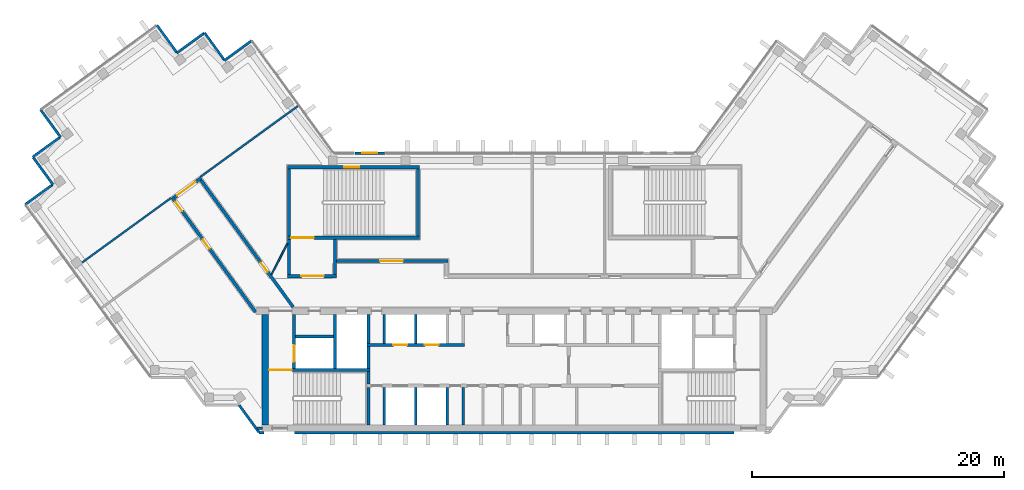
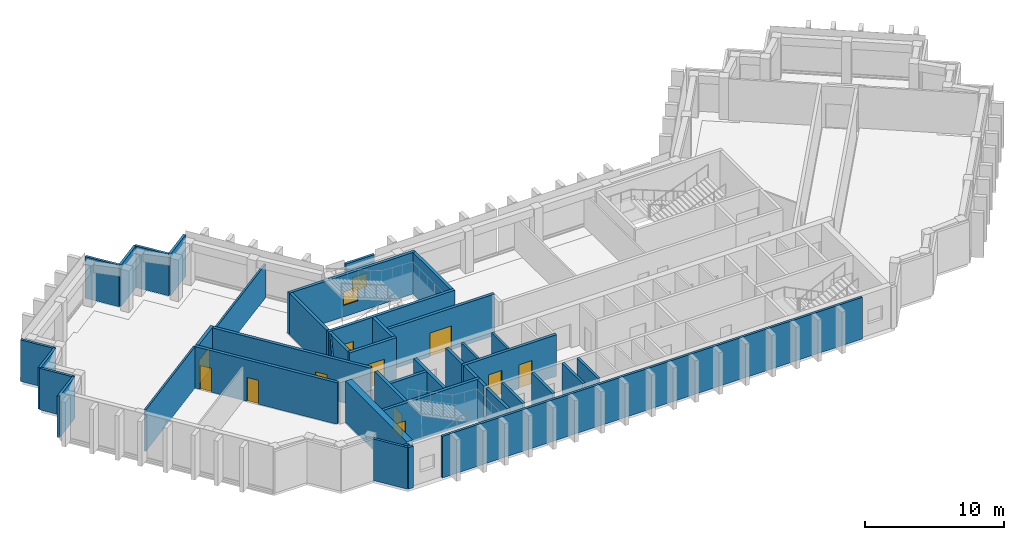
# One storey, part 4 of 9: 43 walls, 11 doors, 2 windows, 13 openings.
"""IFC4 building model written with IfcOpenShell, lengths in metres."""

from ifc_helpers import new_model, si_unit, direction, frame, frame_2d, origin, place, context, subcontext, project, spatial, rectangle, extrude, material, layer, layer_set, type_object, element, fill, save


model = new_model("IFC4")

# Units and contexts
model_context = context("Model", 3, precision=1e-05, world=origin(), true_north=direction((0.0, 1.0)))
body_context = subcontext(model_context, "Body", "Model", "MODEL_VIEW")
ifc_project = project(units=[si_unit("LENGTHUNIT", "METRE"), si_unit("AREAUNIT", "SQUARE_METRE"), si_unit("VOLUMEUNIT", "CUBIC_METRE"), si_unit("PLANEANGLEUNIT", "RADIAN"), si_unit("MASSUNIT", "GRAM", prefix="KILO")], contexts=[model_context])

# Site, building, storey
site_placement = place(None, origin())
site = spatial("IfcSite", under=ifc_project, at=site_placement, CompositionType="ELEMENT")
building_placement = place(site_placement, origin())
building = spatial("IfcBuilding", under=site, at=building_placement, Name="Quipu Civic Tower", CompositionType="ELEMENT")
storey_placement = place(building_placement, frame((0.0, 0.0, 293.0)))
storey = spatial("IfcBuildingStorey", under=building, at=storey_placement, Name="L68", CompositionType="ELEMENT", Elevation=293.0)

# Walls
ifc_material_1 = material(Name="Double gypsum plasterboard with mineral wool")
ifc_layer_1 = layer(ifc_material_1, 0.14990234375)
ifc_layer_set_1 = layer_set([ifc_layer_1], Name="Double gypsum plasterboard with mineral wool")
wall_type_1 = type_object("IfcWallType", Name="Acoustic partition 150 plasterboard", PredefinedType="PARTITIONING", material=ifc_layer_set_1)
wall_1_placement = place(storey_placement, frame((-17.17236328125, 14.822509765625, 0.0), z_axis=(0.0, 0.0, 1.0), x_axis=(-0.809013490065, -0.587790075531, 0.0)))
element("IfcWall", 1, at=wall_1_placement, inside=storey, type_object=wall_type_1, Name="Partition P02", PredefinedType="PARTITIONING", context=body_context, shape_type="SweptSolid", body=[
    extrude(rectangle(XDim=9.54931640625, YDim=0.14990234375, at=frame_2d((4.774658203125, 0.0))), origin(), (0.0, 0.0, 1.0), 2.949951171875),
])
wall_2_placement = place(storey_placement, frame((-34.291015625, 2.41015625, 0.0), z_axis=(0.0, 0.0, 1.0), x_axis=(0.809027940177, 0.587770186393, 0.0)))
element("IfcWall", 2, at=wall_2_placement, inside=storey, type_object=wall_type_1, Name="Partition P06", PredefinedType="PARTITIONING", context=body_context, shape_type="SweptSolid", body=[
    extrude(rectangle(XDim=8.71484375, YDim=0.14990234375, at=frame_2d((4.357421875, 0.0))), origin(), (0.0, 0.0, 1.0), 3.64990234375),
])
ifc_material_2 = material(Name="Concrete C70/85", Category="concrete")
ifc_layer_2 = layer(ifc_material_2, 0.25)
ifc_layer_set_2 = layer_set([ifc_layer_2], Name="Concrete C70/85")
wall_type_2 = type_object("IfcWallType", Name="Core wall 250", PredefinedType="SHEAR", material=ifc_layer_set_2)
wall_3_placement = place(storey_placement, frame((-11.574951171875, -10.5, 0.0), z_axis=(0.0, 0.0, 1.0), x_axis=(0.0, 1.0, 0.0)))
element("IfcWall", 3, at=wall_3_placement, inside=storey, type_object=wall_type_2, Name="Core wall", PredefinedType="SHEAR", context=body_context, shape_type="SweptSolid", body=[
    extrude(rectangle(XDim=3.0, YDim=0.25, at=frame_2d((1.5, 0.0))), origin(), (0.0, 0.0, 1.0), 3.64990234375),
])
wall_4_placement = place(storey_placement, frame((-11.574951171875, -7.25, 0.0), z_axis=(0.0, 0.0, 1.0), x_axis=(0.0, 1.0, 0.0)))
element("IfcWall", 4, at=wall_4_placement, inside=storey, type_object=wall_type_2, Name="Core wall", PredefinedType="SHEAR", context=body_context, shape_type="SweptSolid", body=[
    extrude(rectangle(XDim=1.0, YDim=0.25, at=frame_2d((0.5, 0.0))), origin(), (0.0, 0.0, 1.0), 3.64990234375),
])

# Wall, opening, door
wall_5_placement = place(storey_placement, frame((-11.449951171875, -6.125, 0.0), z_axis=(0.0, 0.0, 1.0), x_axis=(-1.0, 0.0, 0.0)))
wall_5 = element("IfcWall", 5, at=wall_5_placement, inside=storey, type_object=wall_type_2, Name="Core wall", PredefinedType="SHEAR", context=body_context, shape_type="SweptSolid", body=[
    extrude(rectangle(XDim=8.050048828125, YDim=0.25, at=frame_2d((4.02490234375, 0.0))), origin(), (0.0, 0.0, 1.0), 3.64990234375),
])
opening_1_placement = place(wall_5_placement, frame((6.199951171875, 0.0, 0.0)))
opening_1 = element("IfcOpeningElement", 6, at=opening_1_placement, cuts=wall_5, Name="Opening CD-09", PredefinedType="OPENING", context=body_context, shape_type="SweptSolid", body=[
    extrude(rectangle(XDim=1.800048828125, YDim=2.10009765625, at=frame_2d((0.89990234375, 1.050048828125))), frame((0.0, 0.135009765625, 0.0), z_axis=(0.0, -1.0, 0.0), x_axis=(1.0, 0.0, 0.0)), (0.0, 0.0, 1.0), 0.27001953125),
])
ifc_material_3 = material(Name="Fire rated steel door", Category="steel")
door_type_1 = type_object("IfcDoorType", Name="Fire door FD90 double 1800 x 2100", OperationType="NOTDEFINED", PredefinedType="DOOR", material=ifc_material_3)
door_1_placement = place(opening_1_placement, origin())
door_1 = element("IfcDoor", 7, at=door_1_placement, inside=storey, type_object=door_type_1, Name="Door", OperationType="DOUBLE_DOOR_SINGLE_SWING", OverallHeight=2.10009765625, OverallWidth=1.800048828125, PredefinedType="DOOR", context=body_context, shape_type="SweptSolid", body=[
    extrude(rectangle(XDim=1.800048828125, YDim=2.10009765625, at=frame_2d((0.89990234375, 1.050048828125))), frame((0.0, 0.02490234375, 0.0), z_axis=(0.0, -1.0, 0.0), x_axis=(1.0, 0.0, 0.0)), (0.0, 0.0, 1.0), 0.050048828125),
])
fill(opening_1, door_1)

wall_6_placement = place(storey_placement, frame((-17.47509765625, -6.0, 0.0), z_axis=(0.0, 0.0, 1.0), x_axis=(0.0, 1.0, 0.0)))
wall_6 = element("IfcWall", 8, at=wall_6_placement, inside=storey, type_object=wall_type_2, Name="Core wall", PredefinedType="SHEAR", context=body_context, shape_type="SweptSolid", body=[
    extrude(rectangle(XDim=4.300048828125, YDim=0.25, at=frame_2d((2.14990234375, 0.0))), origin(), (0.0, 0.0, 1.0), 3.64990234375),
])
opening_2_placement = place(wall_6_placement, frame((0.550048828125, 0.0, 0.0)))
opening_2 = element("IfcOpeningElement", 9, at=opening_2_placement, cuts=wall_6, Name="Opening LD-FF1", PredefinedType="OPENING", context=body_context, shape_type="SweptSolid", body=[
    extrude(rectangle(XDim=1.300048828125, YDim=2.10009765625, at=frame_2d((0.64990234375, 1.050048828125))), frame((0.0, 0.135009765625, 0.0), z_axis=(0.0, -1.0, 0.0), x_axis=(1.0, 0.0, 0.0)), (0.0, 0.0, 1.0), 0.27001953125),
])
ifc_material_4 = material(Name="Stainless steel", Category="steel")
door_type_2 = type_object("IfcDoorType", Name="Lift landing door 1300 x 2100", OperationType="DOUBLE_DOOR_SLIDING", PredefinedType="DOOR", material=ifc_material_4)
door_2_placement = place(opening_2_placement, origin())
door_2 = element("IfcDoor", 10, at=door_2_placement, inside=storey, type_object=door_type_2, Name="Landing door FF1", OperationType="DOUBLE_DOOR_SLIDING", OverallHeight=2.10009765625, OverallWidth=1.300048828125, PredefinedType="DOOR", context=body_context, shape_type="SweptSolid", body=[
    extrude(rectangle(XDim=1.300048828125, YDim=2.10009765625, at=frame_2d((0.64990234375, 1.050048828125))), frame((0.0, 0.02490234375, 0.0), z_axis=(0.0, -1.0, 0.0), x_axis=(1.0, 0.0, 0.0)), (0.0, 0.0, 1.0), 0.050048828125),
])
fill(opening_2, door_2)

# Walls
wall_7_placement = place(storey_placement, frame((-14.22509765625, -6.0, 0.0), z_axis=(0.0, 0.0, 1.0), x_axis=(0.0, 1.0, 0.0)))
element("IfcWall", 11, at=wall_7_placement, inside=storey, type_object=wall_type_2, Name="Core wall", PredefinedType="SHEAR", context=body_context, shape_type="SweptSolid", body=[
    extrude(rectangle(XDim=4.300048828125, YDim=0.25, at=frame_2d((2.14990234375, 0.0))), origin(), (0.0, 0.0, 1.0), 3.64990234375),
])
wall_8_placement = place(storey_placement, frame((-11.574951171875, -6.0, 0.0), z_axis=(0.0, 0.0, 1.0), x_axis=(0.0, 1.0, 0.0)))
element("IfcWall", 12, at=wall_8_placement, inside=storey, type_object=wall_type_2, Name="Core wall", PredefinedType="SHEAR", context=body_context, shape_type="SweptSolid", body=[
    extrude(rectangle(XDim=1.75, YDim=0.25, at=frame_2d((0.875, 0.0))), origin(), (0.0, 0.0, 1.0), 3.64990234375),
])

# Wall, openings, doors
wall_9_placement = place(storey_placement, frame((-11.699951171875, -4.125, 0.0), z_axis=(0.0, 0.0, 1.0), x_axis=(1.0, 0.0, 0.0)))
wall_9 = element("IfcWall", 13, at=wall_9_placement, inside=storey, type_object=wall_type_2, Name="Core wall", PredefinedType="SHEAR", context=body_context, shape_type="SweptSolid", body=[
    extrude(rectangle(XDim=7.75, YDim=0.25, at=frame_2d((3.875, 0.0))), origin(), (0.0, 0.0, 1.0), 3.64990234375),
])
opening_3_placement = place(wall_9_placement, frame((2.10009765625, 0.0, 0.0)))
opening_3 = element("IfcOpeningElement", 14, at=opening_3_placement, cuts=wall_9, Name="Opening LD-HL3", PredefinedType="OPENING", context=body_context, shape_type="SweptSolid", body=[
    extrude(rectangle(XDim=1.10009765625, YDim=2.10009765625, at=frame_2d((0.550048828125, 1.050048828125))), frame((0.0, 0.135009765625, 0.0), z_axis=(0.0, -1.0, 0.0), x_axis=(1.0, 0.0, 0.0)), (0.0, 0.0, 1.0), 0.27001953125),
])
opening_4_placement = place(wall_9_placement, frame((4.60009765625, 0.0, 0.0)))
opening_4 = element("IfcOpeningElement", 15, at=opening_4_placement, cuts=wall_9, Name="Opening LD-HL4", PredefinedType="OPENING", context=body_context, shape_type="SweptSolid", body=[
    extrude(rectangle(XDim=1.10009765625, YDim=2.10009765625, at=frame_2d((0.550048828125, 1.050048828125))), frame((0.0, 0.135009765625, 0.0), z_axis=(0.0, -1.0, 0.0), x_axis=(1.0, 0.0, 0.0)), (0.0, 0.0, 1.0), 0.27001953125),
])
ifc_material_5 = material(Name="Stainless steel", Category="steel")
door_type_3 = type_object("IfcDoorType", Name="Lift landing door 1100 x 2100", OperationType="DOUBLE_DOOR_SLIDING", PredefinedType="DOOR", material=ifc_material_5)
door_3_placement = place(opening_3_placement, origin())
door_3 = element("IfcDoor", 16, at=door_3_placement, inside=storey, type_object=door_type_3, Name="Landing door HL3", OperationType="DOUBLE_DOOR_SLIDING", OverallHeight=2.10009765625, OverallWidth=1.10009765625, PredefinedType="DOOR", context=body_context, shape_type="SweptSolid", body=[
    extrude(rectangle(XDim=1.10009765625, YDim=2.10009765625, at=frame_2d((0.550048828125, 1.050048828125))), frame((0.0, 0.02490234375, 0.0), z_axis=(0.0, -1.0, 0.0), x_axis=(1.0, 0.0, 0.0)), (0.0, 0.0, 1.0), 0.050048828125),
])
fill(opening_3, door_3)
door_4_placement = place(opening_4_placement, origin())
door_4 = element("IfcDoor", 17, at=door_4_placement, inside=storey, type_object=door_type_3, Name="Landing door HL4", OperationType="DOUBLE_DOOR_SLIDING", OverallHeight=2.10009765625, OverallWidth=1.10009765625, PredefinedType="DOOR", context=body_context, shape_type="SweptSolid", body=[
    extrude(rectangle(XDim=1.10009765625, YDim=2.10009765625, at=frame_2d((0.550048828125, 1.050048828125))), frame((0.0, 0.02490234375, 0.0), z_axis=(0.0, -1.0, 0.0), x_axis=(1.0, 0.0, 0.0)), (0.0, 0.0, 1.0), 0.050048828125),
])
fill(opening_4, door_4)

# Walls
wall_10_placement = place(storey_placement, frame((-11.574951171875, -4.0, 0.0), z_axis=(0.0, 0.0, 1.0), x_axis=(0.0, 1.0, 0.0)))
element("IfcWall", 18, at=wall_10_placement, inside=storey, type_object=wall_type_2, Name="Core wall", PredefinedType="SHEAR", context=body_context, shape_type="SweptSolid", body=[
    extrude(rectangle(XDim=2.300048828125, YDim=0.25, at=frame_2d((1.14990234375, 0.0))), origin(), (0.0, 0.0, 1.0), 3.64990234375),
])
wall_11_placement = place(storey_placement, frame((-17.35009765625, -3.47509765625, 0.0), z_axis=(0.0, 0.0, 1.0), x_axis=(1.0, 0.0, 0.0)))
element("IfcWall", 19, at=wall_11_placement, inside=storey, type_object=wall_type_2, Name="Core wall", PredefinedType="SHEAR", context=body_context, shape_type="SweptSolid", body=[
    extrude(rectangle(XDim=3.0, YDim=0.25, at=frame_2d((1.5, 0.0))), origin(), (0.0, 0.0, 1.0), 3.64990234375),
])

# Wall, opening, door
wall_12_placement = place(storey_placement, frame((-18.0, 1.324951171875, 0.0), z_axis=(0.0, 0.0, 1.0), x_axis=(1.0, 0.0, 0.0)))
wall_12 = element("IfcWall", 20, at=wall_12_placement, inside=storey, type_object=wall_type_2, Name="Core wall", PredefinedType="SHEAR", context=body_context, shape_type="SweptSolid", body=[
    extrude(rectangle(XDim=3.89990234375, YDim=0.25, at=frame_2d((1.949951171875, 0.0))), origin(), (0.0, 0.0, 1.0), 3.64990234375),
])
opening_5_placement = place(wall_12_placement, frame((1.10009765625, 0.0, 0.0)))
opening_5 = element("IfcOpeningElement", 21, at=opening_5_placement, cuts=wall_12, Name="Opening CD-27", PredefinedType="OPENING", context=body_context, shape_type="SweptSolid", body=[
    extrude(rectangle(XDim=1.800048828125, YDim=2.10009765625, at=frame_2d((0.89990234375, 1.050048828125))), frame((0.0, 0.135009765625, 0.0), z_axis=(0.0, -1.0, 0.0), x_axis=(1.0, 0.0, 0.0)), (0.0, 0.0, 1.0), 0.27001953125),
])
door_5_placement = place(opening_5_placement, origin())
door_5 = element("IfcDoor", 22, at=door_5_placement, inside=storey, type_object=door_type_1, Name="Lobby door", OperationType="DOUBLE_DOOR_SINGLE_SWING", OverallHeight=2.10009765625, OverallWidth=1.800048828125, PredefinedType="DOOR", context=body_context, shape_type="SweptSolid", body=[
    extrude(rectangle(XDim=1.800048828125, YDim=2.10009765625, at=frame_2d((0.89990234375, 1.050048828125))), frame((0.0, 0.02490234375, 0.0), z_axis=(0.0, -1.0, 0.0), x_axis=(1.0, 0.0, 0.0)), (0.0, 0.0, 1.0), 0.050048828125),
])
fill(opening_5, door_5)

# Walls
for number, where, z_axis, x_axis, name in (
    (23, (-17.875, 1.449951171875, 0.0), (0.0, 0.0, 1.0), (0.0, 1.0, 0.0), "Core wall"),
    (24, (-14.22509765625, 1.449951171875, 0.0), (0.0, 0.0, 1.0), (0.0, 1.0, 0.0), "Core wall"),
):
    element("IfcWall", number, at=place(storey_placement, frame(where, z_axis=z_axis, x_axis=x_axis)), inside=storey, type_object=wall_type_2, Name=name, PredefinedType="SHEAR", context=body_context, shape_type="SweptSolid", body=[
        extrude(rectangle(XDim=2.800048828125, YDim=0.25, at=frame_2d((1.39990234375, 0.0))), origin(), (0.0, 0.0, 1.0), 3.64990234375),
    ])

# Wall, opening, door
wall_13_placement = place(storey_placement, frame((-18.0, 4.375, 0.0), z_axis=(0.0, 0.0, 1.0), x_axis=(1.0, 0.0, 0.0)))
wall_13 = element("IfcWall", 25, at=wall_13_placement, inside=storey, type_object=wall_type_2, Name="Core wall", PredefinedType="SHEAR", context=body_context, shape_type="SweptSolid", body=[
    extrude(rectangle(XDim=10.5, YDim=0.25, at=frame_2d((5.25, 0.0))), origin(), (0.0, 0.0, 1.0), 3.64990234375),
])
opening_6_placement = place(wall_13_placement, frame((0.300048828125, 0.0, 0.0)))
opening_6 = element("IfcOpeningElement", 26, at=opening_6_placement, cuts=wall_13, Name="Opening CD-28", PredefinedType="OPENING", context=body_context, shape_type="SweptSolid", body=[
    extrude(rectangle(XDim=1.800048828125, YDim=2.10009765625, at=frame_2d((0.89990234375, 1.050048828125))), frame((0.0, 0.135009765625, 0.0), z_axis=(0.0, -1.0, 0.0), x_axis=(1.0, 0.0, 0.0)), (0.0, 0.0, 1.0), 0.27001953125),
])
door_6_placement = place(opening_6_placement, origin())
door_6 = element("IfcDoor", 27, at=door_6_placement, inside=storey, type_object=door_type_1, Name="Door", OperationType="DOUBLE_DOOR_SINGLE_SWING", OverallHeight=2.10009765625, OverallWidth=1.800048828125, PredefinedType="DOOR", context=body_context, shape_type="SweptSolid", body=[
    extrude(rectangle(XDim=1.800048828125, YDim=2.10009765625, at=frame_2d((0.89990234375, 1.050048828125))), frame((0.0, 0.02490234375, 0.0), z_axis=(0.0, -1.0, 0.0), x_axis=(1.0, 0.0, 0.0)), (0.0, 0.0, 1.0), 0.050048828125),
])
fill(opening_6, door_6)

# Walls
for number, where, z_axis, x_axis, name in (
    (28, (-17.875, 4.5, 0.0), (0.0, 0.0, 1.0), (0.0, 1.0, 0.0), "Core wall"),
    (29, (-7.625, 4.5, 0.0), (0.0, 0.0, 1.0), (0.0, 1.0, 0.0), "Core wall"),
):
    element("IfcWall", number, at=place(storey_placement, frame(where, z_axis=z_axis, x_axis=x_axis)), inside=storey, type_object=wall_type_2, Name=name, PredefinedType="SHEAR", context=body_context, shape_type="SweptSolid", body=[
        extrude(rectangle(XDim=5.35009765625, YDim=0.25, at=frame_2d((2.675048828125, 0.0))), origin(), (0.0, 0.0, 1.0), 3.64990234375),
    ])

# Wall, opening, window
wall_14_placement = place(storey_placement, frame((-18.0, 9.97509765625, 0.0), z_axis=(0.0, 0.0, 1.0), x_axis=(1.0, 0.0, 0.0)))
wall_14 = element("IfcWall", 30, at=wall_14_placement, inside=storey, type_object=wall_type_2, Name="Core wall", PredefinedType="SHEAR", context=body_context, shape_type="SweptSolid", body=[
    extrude(rectangle(XDim=10.5, YDim=0.25, at=frame_2d((5.25, 0.0))), origin(), (0.0, 0.0, 1.0), 3.64990234375),
])
opening_7_placement = place(wall_14_placement, frame((4.5, 0.0, 1.0)))
opening_7 = element("IfcOpeningElement", 31, at=opening_7_placement, cuts=wall_14, Name="Opening SV-3", PredefinedType="OPENING", context=body_context, shape_type="SweptSolid", body=[
    extrude(rectangle(XDim=1.199951171875, YDim=1.199951171875, at=frame_2d((0.60009765625, 0.60009765625))), frame((0.0, 0.135009765625, 0.0), z_axis=(0.0, -1.0, 0.0), x_axis=(1.0, 0.0, 0.0)), (0.0, 0.0, 1.0), 0.27001953125),
])
ifc_material_6 = material(Name="Aluminium louvre", Category="aluminium")
window_type_1 = type_object("IfcWindowType", Name="Stair ventilation louvre 1200 x 1200", PartitioningType="SINGLE_PANEL", PredefinedType="WINDOW", material=ifc_material_6)
window_1_placement = place(opening_7_placement, origin())
window_1 = element("IfcWindow", 32, at=window_1_placement, inside=storey, type_object=window_type_1, Name="Stair ventilation opening", OverallHeight=1.199951171875, OverallWidth=1.199951171875, PartitioningType="SINGLE_PANEL", PredefinedType="WINDOW", context=body_context, shape_type="SweptSolid", body=[
    extrude(rectangle(XDim=1.199951171875, YDim=1.199951171875, at=frame_2d((0.60009765625, 0.60009765625))), frame((0.0, 0.030029296875, 0.0), z_axis=(0.0, -1.0, 0.0), x_axis=(1.0, 0.0, 0.0)), (0.0, 0.0, 1.0), 0.06005859375),
])
fill(opening_7, window_1)

# Wall
ifc_material_7 = material(Name="Concrete C70/85", Category="concrete")
ifc_layer_3 = layer(ifc_material_7, 0.5)
ifc_layer_set_3 = layer_set([ifc_layer_3], Name="Concrete C70/85")
wall_type_3 = type_object("IfcWallType", Name="Core wall 500", PredefinedType="SHEAR", material=ifc_layer_set_3)
wall_15_placement = place(storey_placement, frame((-19.75, -10.5, 0.0), z_axis=(0.0, 0.0, 1.0), x_axis=(0.0, 1.0, 0.0)))
element("IfcWall", 33, at=wall_15_placement, inside=storey, type_object=wall_type_3, Name="Core wall", PredefinedType="SHEAR", context=body_context, shape_type="SweptSolid", body=[
    extrude(rectangle(XDim=8.800048828125, YDim=0.5, at=frame_2d((4.39990234375, 0.0))), origin(), (0.0, 0.0, 1.0), 3.64990234375),
])

# Wall, openings, doors
ifc_material_8 = material(Name="Concrete C50/60", Category="concrete")
ifc_layer_4 = layer(ifc_material_8, 0.25)
ifc_layer_set_4 = layer_set([ifc_layer_4], Name="Concrete C50/60")
wall_type_4 = type_object("IfcWallType", Name="Corridor wall 250 concrete", PredefinedType="SOLIDWALL", material=ifc_layer_set_4)
wall_16_placement = place(storey_placement, frame((-20.531005859375, -1.5234375, 0.0), z_axis=(0.0, 0.0, 1.0), x_axis=(-0.587782646447, 0.809018887626, 0.0)))
wall_16 = element("IfcWall", 34, at=wall_16_placement, inside=storey, type_object=wall_type_4, Name="Corridor wall C04", PredefinedType="SOLIDWALL", context=body_context, shape_type="SweptSolid", body=[
    extrude(rectangle(XDim=11.270263671875, YDim=0.25, at=frame_2d((5.63525390625, 0.0))), origin(), (0.0, 0.0, 1.0), 3.64990234375),
])
opening_8_placement = place(wall_16_placement, frame((6.2158203125, 0.0, 0.0)))
opening_8 = element("IfcOpeningElement", 35, at=opening_8_placement, cuts=wall_16, Name="Opening D009", PredefinedType="OPENING", context=body_context, shape_type="SweptSolid", body=[
    extrude(rectangle(XDim=0.89990234375, YDim=2.10009765625, at=frame_2d((0.449951171875, 1.050048828125))), frame((0.0, 0.135009765625, 0.0), z_axis=(0.0, -1.0, 0.0), x_axis=(1.0, 0.0, 0.0)), (0.0, 0.0, 1.0), 0.27001953125),
])
opening_9_placement = place(wall_16_placement, frame((9.895751953125, 0.0, 0.0)))
opening_9 = element("IfcOpeningElement", 36, at=opening_9_placement, cuts=wall_16, Name="Opening D008", PredefinedType="OPENING", context=body_context, shape_type="SweptSolid", body=[
    extrude(rectangle(XDim=0.89990234375, YDim=2.10009765625, at=frame_2d((0.449951171875, 1.050048828125))), frame((0.0, 0.135009765625, 0.0), z_axis=(0.0, -1.0, 0.0), x_axis=(1.0, 0.0, 0.0)), (0.0, 0.0, 1.0), 0.27001953125),
])
ifc_material_9 = material(Name="Fire rated timber door set with metal frame", Category="wood")
door_type_4 = type_object("IfcDoorType", Name="Single door 900 x 2100 FD60", OperationType="NOTDEFINED", PredefinedType="DOOR", material=ifc_material_9)
door_7_placement = place(opening_8_placement, origin())
door_7 = element("IfcDoor", 37, at=door_7_placement, inside=storey, type_object=door_type_4, Name="Door D009", OperationType="SINGLE_SWING_RIGHT", OverallHeight=2.10009765625, OverallWidth=0.89990234375, PredefinedType="DOOR", context=body_context, shape_type="SweptSolid", body=[
    extrude(rectangle(XDim=0.89990234375, YDim=2.10009765625, at=frame_2d((0.449951171875, 1.050048828125))), frame((0.0, 0.02490234375, 0.0), z_axis=(0.0, -1.0, 0.0), x_axis=(1.0, 0.0, 0.0)), (0.0, 0.0, 1.0), 0.050048828125),
])
fill(opening_8, door_7)
door_8_placement = place(opening_9_placement, origin())
door_8 = element("IfcDoor", 38, at=door_8_placement, inside=storey, type_object=door_type_4, Name="Door D008", OperationType="SINGLE_SWING_RIGHT", OverallHeight=2.10009765625, OverallWidth=0.89990234375, PredefinedType="DOOR", context=body_context, shape_type="SweptSolid", body=[
    extrude(rectangle(XDim=0.89990234375, YDim=2.10009765625, at=frame_2d((0.449951171875, 1.050048828125))), frame((0.0, 0.02490234375, 0.0), z_axis=(0.0, -1.0, 0.0), x_axis=(1.0, 0.0, 0.0)), (0.0, 0.0, 1.0), 0.050048828125),
])
fill(opening_9, door_8)

# Wall, opening, door
wall_17_placement = place(storey_placement, frame((-26.98095703125, 7.56689453125, 0.0), z_axis=(0.0, 0.0, 1.0), x_axis=(0.809038743598, 0.587755315891, 0.0)))
wall_17 = element("IfcWall", 39, at=wall_17_placement, inside=storey, type_object=wall_type_4, Name="Corridor wall C05", PredefinedType="SOLIDWALL", context=body_context, shape_type="SweptSolid", body=[
    extrude(rectangle(XDim=2.650146484375, YDim=0.25, at=frame_2d((1.3251953125, 0.0))), origin(), (0.0, 0.0, 1.0), 3.64990234375),
])
opening_10_placement = place(wall_17_placement, frame((0.299560546875, 0.0, 0.0)))
opening_10 = element("IfcOpeningElement", 40, at=opening_10_placement, cuts=wall_17, Name="Opening D010", PredefinedType="OPENING", context=body_context, shape_type="SweptSolid", body=[
    extrude(rectangle(XDim=1.800048828125, YDim=2.10009765625, at=frame_2d((0.89990234375, 1.050048828125))), frame((0.0, 0.135009765625, 0.0), z_axis=(0.0, -1.0, 0.0), x_axis=(1.0, 0.0, 0.0)), (0.0, 0.0, 1.0), 0.27001953125),
])
ifc_material_10 = material(Name="Fire rated timber door set with metal frame", Category="wood")
door_type_5 = type_object("IfcDoorType", Name="Double door 1800 x 2100 FD60", OperationType="DOUBLE_DOOR_SINGLE_SWING", PredefinedType="DOOR", material=ifc_material_10)
door_9_placement = place(opening_10_placement, origin())
door_9 = element("IfcDoor", 41, at=door_9_placement, inside=storey, type_object=door_type_5, Name="Door D010", OperationType="DOUBLE_DOOR_SINGLE_SWING", OverallHeight=2.10009765625, OverallWidth=1.800048828125, PredefinedType="DOOR", context=body_context, shape_type="SweptSolid", body=[
    extrude(rectangle(XDim=1.800048828125, YDim=2.10009765625, at=frame_2d((0.89990234375, 1.050048828125))), frame((0.0, 0.02490234375, 0.0), z_axis=(0.0, -1.0, 0.0), x_axis=(1.0, 0.0, 0.0)), (0.0, 0.0, 1.0), 0.050048828125),
])
fill(opening_10, door_9)

wall_18_placement = place(storey_placement, frame((-24.86474609375, 8.949951171875, 0.0), z_axis=(0.0, 0.0, 1.0), x_axis=(0.587791617212, -0.809012369952, 0.0)))
wall_18 = element("IfcWall", 42, at=wall_18_placement, inside=storey, type_object=wall_type_4, Name="Corridor wall C06", PredefinedType="SOLIDWALL", context=body_context, shape_type="SweptSolid", body=[
    extrude(rectangle(XDim=12.453125, YDim=0.25, at=frame_2d((6.2265625, 0.0))), origin(), (0.0, 0.0, 1.0), 3.64990234375),
])
opening_11_placement = place(wall_18_placement, frame((8.111572265625, 0.0, 0.0)))
opening_11 = element("IfcOpeningElement", 43, at=opening_11_placement, cuts=wall_18, Name="Opening D007", PredefinedType="OPENING", context=body_context, shape_type="SweptSolid", body=[
    extrude(rectangle(XDim=0.89990234375, YDim=2.10009765625, at=frame_2d((0.449951171875, 1.050048828125))), frame((0.0, 0.135009765625, 0.0), z_axis=(0.0, -1.0, 0.0), x_axis=(1.0, 0.0, 0.0)), (0.0, 0.0, 1.0), 0.27001953125),
])
door_10_placement = place(opening_11_placement, origin())
door_10 = element("IfcDoor", 44, at=door_10_placement, inside=storey, type_object=door_type_4, Name="Door D007", OperationType="SINGLE_SWING_RIGHT", OverallHeight=2.10009765625, OverallWidth=0.89990234375, PredefinedType="DOOR", context=body_context, shape_type="SweptSolid", body=[
    extrude(rectangle(XDim=0.89990234375, YDim=2.10009765625, at=frame_2d((0.449951171875, 1.050048828125))), frame((0.0, 0.02490234375, 0.0), z_axis=(0.0, -1.0, 0.0), x_axis=(1.0, 0.0, 0.0)), (0.0, 0.0, 1.0), 0.050048828125),
])
fill(opening_11, door_10)

wall_19_placement = place(storey_placement, frame((-14.090087890625, 2.52490234375, 0.0), z_axis=(0.0, 0.0, 1.0), x_axis=(1.0, 0.0, 0.0)))
wall_19 = element("IfcWall", 45, at=wall_19_placement, inside=storey, type_object=wall_type_4, Name="Corridor wall C07", PredefinedType="SOLIDWALL", context=body_context, shape_type="SweptSolid", body=[
    extrude(rectangle(XDim=8.840087890625, YDim=0.25, at=frame_2d((4.419921875, 0.0))), origin(), (0.0, 0.0, 1.0), 3.64990234375),
])
opening_12_placement = place(wall_19_placement, frame((3.452880859375, 0.0, 0.0)))
opening_12 = element("IfcOpeningElement", 46, at=opening_12_placement, cuts=wall_19, Name="Opening D004", PredefinedType="OPENING", context=body_context, shape_type="SweptSolid", body=[
    extrude(rectangle(XDim=1.800048828125, YDim=2.10009765625, at=frame_2d((0.89990234375, 1.050048828125))), frame((0.0, 0.135009765625, 0.0), z_axis=(0.0, -1.0, 0.0), x_axis=(1.0, 0.0, 0.0)), (0.0, 0.0, 1.0), 0.27001953125),
])
door_11_placement = place(opening_12_placement, origin())
door_11 = element("IfcDoor", 47, at=door_11_placement, inside=storey, type_object=door_type_5, Name="Door D004", OperationType="DOUBLE_DOOR_SINGLE_SWING", OverallHeight=2.10009765625, OverallWidth=1.800048828125, PredefinedType="DOOR", context=body_context, shape_type="SweptSolid", body=[
    extrude(rectangle(XDim=1.800048828125, YDim=2.10009765625, at=frame_2d((0.89990234375, 1.050048828125))), frame((0.0, 0.02490234375, 0.0), z_axis=(0.0, -1.0, 0.0), x_axis=(1.0, 0.0, 0.0)), (0.0, 0.0, 1.0), 0.050048828125),
])
fill(opening_12, door_11)

# Walls
ifc_material_11 = material(Name="Gypsum plasterboard on light gauge framing")
ifc_layer_5 = layer(ifc_material_11, 0.1201171875)
ifc_layer_set_5 = layer_set([ifc_layer_5], Name="Gypsum plasterboard on light gauge framing")
wall_type_5 = type_object("IfcWallType", Name="Partition 120 plasterboard", PredefinedType="PARTITIONING", material=ifc_layer_set_5)
wall_20_placement = place(storey_placement, frame((-19.260986328125, 1.449951171875, 0.0), z_axis=(0.0, 0.0, 1.0), x_axis=(0.453950796792, 0.891026752736, 0.0)))
element("IfcWall", 48, at=wall_20_placement, inside=storey, type_object=wall_type_5, Name="Partition P09", PredefinedType="PARTITIONING", context=body_context, shape_type="SweptSolid", body=[
    extrude(rectangle(XDim=2.77783203125, YDim=0.1201171875, at=frame_2d((1.388916015625, 0.0))), origin(), (0.0, 0.0, 1.0), 3.64990234375),
])
ifc_material_12 = material(Name="Precast concrete C40/50", Category="concrete")
wall_type_6 = type_object("IfcWallType", Name="Precast cladding wall", PredefinedType="SOLIDWALL", material=ifc_material_12)
for number, where, z_axis, x_axis, name in (
    (49, (-20.828857421875, 20.025390625, 0.0), (0.0, 0.0, 1.0), (-0.808990163075, -0.587822180636, 0.0), "Precast cladding wall L68 2"),
    (50, (-22.996337890625, 18.465576171875, 0.0), (0.0, 0.0, 1.0), (-0.587762999008, 0.809033161865, 0.0), "Precast cladding wall L68 3"),
):
    element("IfcWall", number, at=place(storey_placement, frame(where, z_axis=z_axis, x_axis=x_axis)), inside=storey, type_object=wall_type_6, Name=name, PredefinedType="SOLIDWALL", context=body_context, shape_type="SweptSolid", body=[
        extrude(rectangle(XDim=2.699951171875, YDim=0.199951171875, at=frame_2d((1.35009765625, 0.0))), origin(), (0.0, 0.0, 1.0), 3.64990234375),
    ])
for number, where, z_axis, x_axis, name in (
    (51, (-24.60009765625, 20.62255859375, 0.0), (0.0, 0.0, 1.0), (-0.809064397168, -0.587720002413, 0.0), "Precast cladding wall L68 4"),
    (52, (-26.767578125, 19.062744140625, 0.0), (0.0, 0.0, 1.0), (-0.587720002413, 0.809064397168, 0.0), "Precast cladding wall L68 5"),
):
    element("IfcWall", number, at=place(storey_placement, frame(where, z_axis=z_axis, x_axis=x_axis)), inside=storey, type_object=wall_type_6, Name=name, PredefinedType="SOLIDWALL", context=body_context, shape_type="SweptSolid", body=[
        extrude(rectangle(XDim=2.7001953125, YDim=0.199951171875, at=frame_2d((1.35009765625, 0.0))), origin(), (0.0, 0.0, 1.0), 3.64990234375),
    ])
for number, where, z_axis, x_axis, name in (
    (53, (-37.591796875, 14.535888671875, 0.0), (0.0, 0.0, 1.0), (0.587762999008, -0.809033161865, 0.0), "Precast cladding wall L68 7"),
    (54, (-36.031982421875, 12.36865234375, 0.0), (0.0, 0.0, 1.0), (-0.809033161865, -0.587762999008, 0.0), "Precast cladding wall L68 8"),
    (55, (-38.189208984375, 10.7646484375, 0.0), (0.0, 0.0, 1.0), (0.587822180636, -0.808990163075, 0.0), "Precast cladding wall L68 9"),
    (56, (-36.62939453125, 8.597412109375, 0.0), (0.0, 0.0, 1.0), (-0.809033161865, -0.587762999008, 0.0), "Precast cladding wall L68 10"),
):
    element("IfcWall", number, at=place(storey_placement, frame(where, z_axis=z_axis, x_axis=x_axis)), inside=storey, type_object=wall_type_6, Name=name, PredefinedType="SOLIDWALL", context=body_context, shape_type="SweptSolid", body=[
        extrude(rectangle(XDim=2.699951171875, YDim=0.199951171875, at=frame_2d((1.35009765625, 0.0))), origin(), (0.0, 0.0, 1.0), 3.64990234375),
    ])
wall_21_placement = place(storey_placement, frame((-21.8330078125, -8.90869140625, 0.0), z_axis=(0.0, 0.0, 1.0), x_axis=(0.587766567315, -0.809030569476, 0.0)))
element("IfcWall", 57, at=wall_21_placement, inside=storey, type_object=wall_type_6, Name="Precast cladding wall L68 15", PredefinedType="SOLIDWALL", context=body_context, shape_type="SweptSolid", body=[
    extrude(rectangle(XDim=2.687744140625, YDim=0.199951171875, at=frame_2d((1.34375, 0.0))), origin(), (0.0, 0.0, 1.0), 3.64990234375),
])
wall_22_placement = place(storey_placement, frame((-20.255859375, -11.087890625, 0.0), z_axis=(0.0, 0.0, 1.0), x_axis=(1.0, 0.0, 0.0)))
element("IfcWall", 58, at=wall_22_placement, inside=storey, type_object=wall_type_6, Name="Precast cladding wall L68 16", PredefinedType="SOLIDWALL", context=body_context, shape_type="SweptSolid", body=[
    extrude(rectangle(XDim=0.40576171875, YDim=0.199951171875, at=frame_2d((0.202880859375, 0.0))), origin(), (0.0, 0.0, 1.0), 3.64990234375),
])
wall_23_placement = place(storey_placement, frame((-17.44384765625, -11.087890625, 0.0), z_axis=(0.0, 0.0, 1.0), x_axis=(1.0, 0.0, 0.0)))
element("IfcWall", 59, at=wall_23_placement, inside=storey, type_object=wall_type_6, Name="Precast cladding wall L68 17", PredefinedType="SOLIDWALL", context=body_context, shape_type="SweptSolid", body=[
    extrude(rectangle(XDim=34.8876953125, YDim=0.199951171875, at=frame_2d((17.44384765625, 0.0))), origin(), (0.0, 0.0, 1.0), 3.64990234375),
])

# Wall, opening, window
wall_24_placement = place(storey_placement, frame((-10.263427734375, 11.10009765625, 0.0), z_axis=(0.0, 0.0, 1.0), x_axis=(-1.0, 0.0, 0.0)))
wall_24 = element("IfcWall", 60, at=wall_24_placement, inside=storey, type_object=wall_type_6, Name="Vent surround SF-L66-1", PredefinedType="SOLIDWALL", context=body_context, shape_type="SweptSolid", body=[
    extrude(rectangle(XDim=2.3916015625, YDim=0.199951171875, at=frame_2d((1.19580078125, 0.0))), origin(), (0.0, 0.0, 1.0), 3.64990234375),
])
opening_13_placement = place(wall_24_placement, frame((0.595703125, 0.0, 1.0)))
opening_13 = element("IfcOpeningElement", 61, at=opening_13_placement, cuts=wall_24, Name="Opening SF-L66-1", PredefinedType="OPENING", context=body_context, shape_type="SweptSolid", body=[
    extrude(rectangle(XDim=1.199951171875, YDim=1.199951171875, at=frame_2d((0.60009765625, 0.60009765625))), frame((0.0, 0.10986328125, 0.0), z_axis=(0.0, -1.0, 0.0), x_axis=(1.0, 0.0, 0.0)), (0.0, 0.0, 1.0), 0.219970703125),
])
ifc_material_13 = material(Name="Anodised aluminium louvre", Category="aluminium")
window_type_2 = type_object("IfcWindowType", Name="Stair vent louvre window P3", PartitioningType="SINGLE_PANEL", PredefinedType="WINDOW", material=ifc_material_13)
window_2_placement = place(opening_13_placement, origin())
window_2 = element("IfcWindow", 62, at=window_2_placement, inside=storey, type_object=window_type_2, Name="Stair vent louvre SF-L66-1", OverallHeight=1.199951171875, OverallWidth=1.199951171875, PartitioningType="SINGLE_PANEL", PredefinedType="WINDOW", context=body_context, shape_type="SweptSolid", body=[
    extrude(rectangle(XDim=1.199951171875, YDim=1.199951171875, at=frame_2d((0.60009765625, 0.60009765625))), frame((0.0, 0.030029296875, 0.0), z_axis=(0.0, -1.0, 0.0), x_axis=(1.0, 0.0, 0.0)), (0.0, 0.0, 1.0), 0.06005859375),
])
fill(opening_13, window_2)

# Walls
wall_25_placement = place(storey_placement, frame((-19.97998046875, -10.75, 0.0), z_axis=(0.0, 0.0, 1.0), x_axis=(-1.0, 0.0, 0.0)))
element("IfcWall", 63, at=wall_25_placement, inside=storey, type_object=wall_type_6, Name="Precast cladding return L68 W", PredefinedType="SOLIDWALL", context=body_context, shape_type="SweptSolid", body=[
    extrude(rectangle(XDim=0.41650390625, YDim=0.199951171875, at=frame_2d((0.208251953125, 0.0))), origin(), (0.0, 0.0, 1.0), 3.64990234375),
])
ifc_material_14 = material(Name="Concrete C40/50", Category="concrete")
ifc_layer_6 = layer(ifc_material_14, 0.199951171875)
ifc_layer_set_6 = layer_set([ifc_layer_6], Name="Concrete C40/50")
wall_type_7 = type_object("IfcWallType", Name="Shaft wall 200", PredefinedType="SOLIDWALL", material=ifc_layer_set_6)
for number, where, z_axis, x_axis, name in (
    (64, (-10.300048828125, -10.5, 0.0), (0.0, 0.0, 1.0), (0.0, 1.0, 0.0), "Shaft wall"),
    (65, (-7.800048828125, -10.5, 0.0), (0.0, 0.0, 1.0), (0.0, 1.0, 0.0), "Shaft wall"),
    (66, (-5.300048828125, -10.5, 0.0), (0.0, 0.0, 1.0), (0.0, 1.0, 0.0), "Shaft wall"),
    (67, (-4.050048828125, -10.5, 0.0), (0.0, 0.0, 1.0), (0.0, 1.0, 0.0), "Shaft wall"),
):
    element("IfcWall", number, at=place(storey_placement, frame(where, z_axis=z_axis, x_axis=x_axis)), inside=storey, type_object=wall_type_7, Name=name, PredefinedType="SOLIDWALL", context=body_context, shape_type="SweptSolid", body=[
        extrude(rectangle(XDim=3.0, YDim=0.199951171875, at=frame_2d((1.5, 0.0))), origin(), (0.0, 0.0, 1.0), 3.64990234375),
    ])
for number, where, z_axis, x_axis, name in (
    (68, (-10.300048828125, -4.0, 0.0), (0.0, 0.0, 1.0), (0.0, 1.0, 0.0), "Shaft wall"),
    (69, (-7.800048828125, -4.0, 0.0), (0.0, 0.0, 1.0), (0.0, 1.0, 0.0), "Shaft wall"),
):
    element("IfcWall", number, at=place(storey_placement, frame(where, z_axis=z_axis, x_axis=x_axis)), inside=storey, type_object=wall_type_7, Name=name, PredefinedType="SOLIDWALL", context=body_context, shape_type="SweptSolid", body=[
        extrude(rectangle(XDim=2.300048828125, YDim=0.199951171875, at=frame_2d((1.14990234375, 0.0))), origin(), (0.0, 0.0, 1.0), 3.64990234375),
    ])

save(model, "model.ifc")
